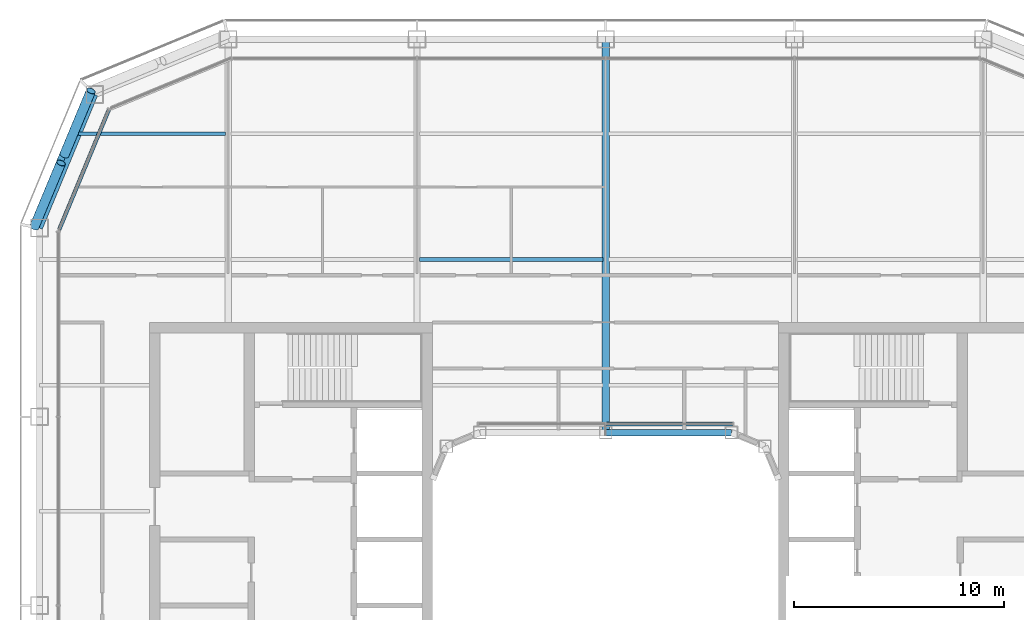
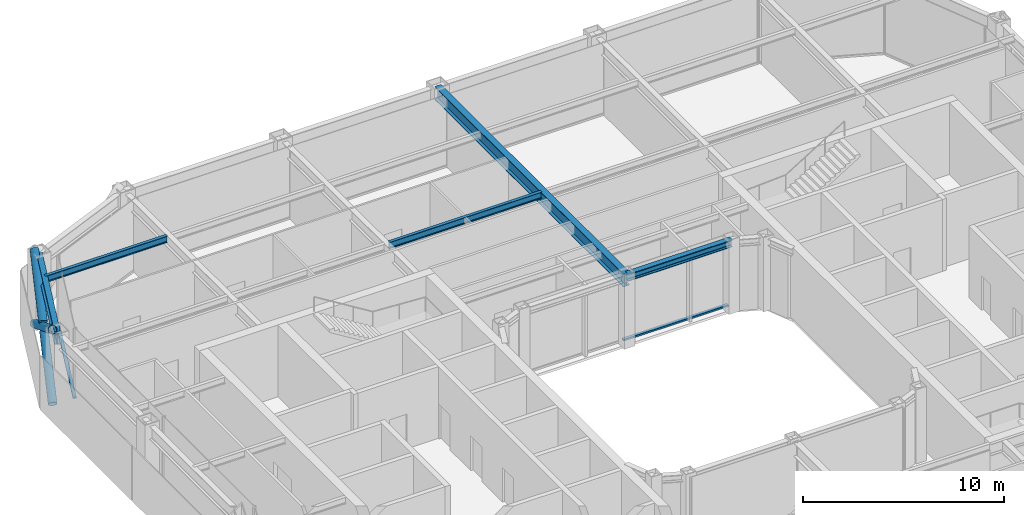
# One storey, part 7 of 22: 5 beams, 5 members, 2 elements without a shape of their own.
"""IFC4 building model written with IfcOpenShell, lengths in metres."""

from ifc_helpers import new_model, si_unit, direction, frame, origin, origin_2d, place, context, subcontext, project, spatial, rectangle, hollow_circle, i_section, extrude, material, layer, layer_set, material_profile, profile_set, type_object, element, aggregate, save


model = new_model("IFC4")

# Units and contexts
model_context = context("Model", 3, precision=1e-05, world=origin(), true_north=direction((0.0, 1.0)))
body_context = subcontext(model_context, "Body", "Model", "MODEL_VIEW")
ifc_project = project(units=[si_unit("LENGTHUNIT", "METRE"), si_unit("AREAUNIT", "SQUARE_METRE"), si_unit("VOLUMEUNIT", "CUBIC_METRE"), si_unit("PLANEANGLEUNIT", "RADIAN"), si_unit("MASSUNIT", "GRAM", prefix="KILO")], contexts=[model_context])

# Site, building, storey
site_placement = place(None, origin())
site = spatial("IfcSite", under=ifc_project, at=site_placement, CompositionType="ELEMENT")
building_placement = place(site_placement, origin())
building = spatial("IfcBuilding", under=site, at=building_placement, Name="Siwar Civic Tower", CompositionType="ELEMENT")
storey_placement = place(building_placement, frame((0.0, 0.0, 219.699951171875)))
storey = spatial("IfcBuildingStorey", under=building, at=storey_placement, Name="L47", CompositionType="ELEMENT", Elevation=219.699951171875)

# Curtain wall, member
ifc_material_1 = material(Name="Aluminium clad insulated panel", Category="aluminium")
ifc_layer_1 = layer(ifc_material_1, 0.179931640625)
ifc_layer_set_1 = layer_set([ifc_layer_1], Name="Aluminium clad insulated panel")
curtain_wall_type_1 = type_object("IfcCurtainWallType", Name="ENV-CW-CX", PredefinedType="NOTDEFINED", material=ifc_layer_set_1)
curtain_wall_1_placement = place(storey_placement, origin())
curtain_wall_1 = element("IfcCurtainWall", 1, at=curtain_wall_1_placement, inside=storey, type_object=curtain_wall_type_1, Name="Curtain wall C NW2", PredefinedType="NOTDEFINED")
ifc_material_2 = material(Name="Aluminium 6063-T6", Category="aluminium")
ifc_material_profile_1 = material_profile(ifc_material_2, rectangle(XDim=0.179931640625, YDim=0.10009765625, at=origin_2d()), Name="AL 180x100")
ifc_profile_set_1 = profile_set([ifc_material_profile_1], Name="Aluminium 6063-T6")
member_type_1 = type_object("IfcMemberType", Name="ENV-TRANSOM-C", PredefinedType="USERDEFINED", material=ifc_profile_set_1)
member_1_placement = place(storey_placement, frame((-23.6865234375, 23.6474609375, 0.050048828125), z_axis=(-0.382691366456, -0.923876246063, 0.0), x_axis=(0.923876246063, -0.382691366456, 0.0)))
member_1 = element("IfcMember", 2, at=member_1_placement, type_object=member_type_1, Name="Transom C NW2 1", ObjectType="TRANSOM", PredefinedType="USERDEFINED", context=body_context, shape_type="SweptSolid", body=[
    extrude(rectangle(XDim=0.179931640625, YDim=0.10009765625, at=origin_2d()), origin(), (0.0, 0.0, 1.0), 6.20166015625),
])
aggregate(curtain_wall_1, [member_1])

ifc_material_3 = material(Name="Aluminium and glass", Category="aluminium")
ifc_layer_2 = layer(ifc_material_3, 0.179931640625)
ifc_layer_set_2 = layer_set([ifc_layer_2], Name="Aluminium and glass")
curtain_wall_type_2 = type_object("IfcCurtainWallType", Name="ENV-CW-W", PredefinedType="NOTDEFINED", material=ifc_layer_set_2)
curtain_wall_2_placement = place(storey_placement, origin())
curtain_wall_2 = element("IfcCurtainWall", 3, at=curtain_wall_2_placement, inside=storey, type_object=curtain_wall_type_2, Name="Curtain wall W WN", PredefinedType="NOTDEFINED")
ifc_material_4 = material(Name="Aluminium 6063-T6", Category="aluminium")
ifc_material_profile_2 = material_profile(ifc_material_4, rectangle(XDim=0.179931640625, YDim=0.10009765625, at=origin_2d()), Name="AL 180x100")
ifc_profile_set_2 = profile_set([ifc_material_profile_2], Name="Aluminium 6063-T6")
member_type_2 = type_object("IfcMemberType", Name="ENV-TRANSOM-W", PredefinedType="USERDEFINED", material=ifc_profile_set_2)
member_2_placement = place(storey_placement, frame((6.051513671875, 8.659912109375, 0.050048828125), z_axis=(-1.0, 0.0, 0.0), x_axis=(0.0, -1.0, 0.0)))
member_2 = element("IfcMember", 4, at=member_2_placement, type_object=member_type_2, Name="Transom W WN 1", ObjectType="TRANSOM", PredefinedType="USERDEFINED", context=body_context, shape_type="SweptSolid", body=[
    extrude(rectangle(XDim=0.179931640625, YDim=0.10009765625, at=origin_2d()), origin(), (0.0, 0.0, 1.0), 6.021484375),
])
aggregate(curtain_wall_2, [member_2])

# Members
ifc_material_5 = material(Name="Steel S355", Category="steel")
ifc_material_profile_3 = material_profile(ifc_material_5, hollow_circle(Radius=0.228515625, WallThickness=0.02001953125, at=origin_2d()), Name="CHS457x20")
ifc_profile_set_3 = profile_set([ifc_material_profile_3], Name="Steel S355")
member_type_3 = type_object("IfcMemberType", Name="STR-BR-CHS457x20", PredefinedType="BRACE", material=ifc_profile_set_3)
member_3_placement = place(storey_placement, frame((-24.540771484375, 24.540771484375, 0.0), z_axis=(-0.323905527954, -0.777554562952, 0.538975055633), x_axis=(0.923108759191, -0.384538969033, 0.0)))
element("IfcMember", 5, at=member_3_placement, inside=storey, type_object=member_type_3, Name="L47/brc/CNW1-7-0-1", PredefinedType="BRACE", context=body_context, shape_type="SweptSolid", body=[
    extrude(hollow_circle(Radius=0.228515625, WallThickness=0.02001953125, at=origin_2d()), origin(), (0.0, 0.0, 1.0), 8.34912109375),
])
for number, where, z_axis, x_axis, name in (
    (6, (-27.2451171875, 18.048828125, 0.0), (0.323884455881, 0.777546448489, 0.538999424564), (-0.92311621485, 0.38452107079, 0.0), "L47/brc/CNW1-7-0-2"),
    (7, (-25.81298828125, 21.486572265625, 2.383056640625), (0.323895306243, 0.777572496853, 0.538955325357), (-0.92311621485, 0.38452107079, 0.0), "L47/brc/CNW1-7-0-3"),
):
    element("IfcMember", number, at=place(storey_placement, frame(where, z_axis=z_axis, x_axis=x_axis)), inside=storey, type_object=member_type_3, Name=name, PredefinedType="BRACE", context=body_context, shape_type="SweptSolid", body=[
        extrude(hollow_circle(Radius=0.228515625, WallThickness=0.02001953125, at=origin_2d()), origin(), (0.0, 0.0, 1.0), 3.927978515625),
    ])

# Beams
ifc_material_6 = material(Name="Steel S355", Category="steel")
ifc_material_profile_4 = material_profile(ifc_material_6, i_section(OverallWidth=0.179931640625, OverallDepth=0.39990234375, WebThickness=0.008544921875, FlangeThickness=0.013427734375, FilletRadius=0.02099609375, at=origin_2d()), Name="IPE400")
ifc_profile_set_4 = profile_set([ifc_material_profile_4], Name="Steel S355")
beam_type_1 = type_object("IfcBeamType", Name="STR-FB-IPE400", PredefinedType="JOIST", material=ifc_profile_set_4)
beam_1_placement = place(storey_placement, frame((-8.8701171875, 16.5, 4.150146484375), z_axis=(1.0, 0.0, 0.0), x_axis=(0.0, 1.0, 0.0)))
element("IfcBeam", 8, at=beam_1_placement, inside=storey, type_object=beam_type_1, Name="L47/bm/F033", PredefinedType="JOIST", context=body_context, shape_type="SweptSolid", body=[
    extrude(i_section(OverallWidth=0.179931640625, OverallDepth=0.39990234375, WebThickness=0.008544921875, FlangeThickness=0.013427734375, FilletRadius=0.02099609375, at=origin_2d()), origin(), (0.0, 0.0, 1.0), 8.740234375),
])
beam_2_placement = place(storey_placement, frame((-25.135986328125, 22.5, 4.150146484375), z_axis=(1.0, 0.0, 0.0), x_axis=(0.0, 1.0, 0.0)))
element("IfcBeam", 9, at=beam_2_placement, inside=storey, type_object=beam_type_1, Name="L47/bm/F037", PredefinedType="JOIST", context=body_context, shape_type="SweptSolid", body=[
    extrude(i_section(OverallWidth=0.179931640625, OverallDepth=0.39990234375, WebThickness=0.008544921875, FlangeThickness=0.013427734375, FilletRadius=0.02099609375, at=origin_2d()), origin(), (0.0, 0.0, 1.0), 7.006103515625),
])
ifc_material_7 = material(Name="Steel S355", Category="steel")
ifc_material_profile_5 = material_profile(ifc_material_7, i_section(OverallWidth=0.360107421875, OverallDepth=0.800048828125, WebThickness=0.013916015625, FlangeThickness=0.031982421875, at=origin_2d()), Name="PG800x360x14x32")
ifc_profile_set_5 = profile_set([ifc_material_profile_5], Name="Steel S355")
beam_type_2 = type_object("IfcBeamType", Name="STR-PG-PG800x360x14x32", PredefinedType="BEAM", material=ifc_profile_set_5)
beam_3_placement = place(storey_placement, frame((0.0, 8.25, 3.949951171875), z_axis=(0.0, 1.0, 0.0), x_axis=(-1.0, 0.0, 0.0)))
element("IfcBeam", 10, at=beam_3_placement, inside=storey, type_object=beam_type_2, Name="L47/bm/G06", PredefinedType="BEAM", context=body_context, shape_type="SweptSolid", body=[
    extrude(i_section(OverallWidth=0.360107421875, OverallDepth=0.800048828125, WebThickness=0.013916015625, FlangeThickness=0.031982421875, at=origin_2d()), origin(), (0.0, 0.0, 1.0), 18.75),
])
ifc_material_8 = material(Name="Steel S355", Category="steel")
ifc_material_profile_6 = material_profile(ifc_material_8, i_section(OverallWidth=0.306884765625, OverallDepth=0.431884765625, WebThickness=0.02099609375, FlangeThickness=0.0400390625, FilletRadius=0.027099609375, at=origin_2d()), Name="HEM400")
ifc_profile_set_6 = profile_set([ifc_material_profile_6], Name="Steel S355")
beam_type_3 = type_object("IfcBeamType", Name="STR-RB-HEM400", PredefinedType="BEAM", material=ifc_profile_set_6)
beam_4_placement = place(storey_placement, frame((0.0, 8.25, 4.134033203125), z_axis=(1.0, 0.0, 0.0), x_axis=(0.0, 1.0, 0.0)))
element("IfcBeam", 11, at=beam_4_placement, inside=storey, type_object=beam_type_3, Name="L47/bm/RN2", PredefinedType="BEAM", context=body_context, shape_type="SweptSolid", body=[
    extrude(i_section(OverallWidth=0.306884765625, OverallDepth=0.431884765625, WebThickness=0.02099609375, FlangeThickness=0.0400390625, FilletRadius=0.027099609375, at=origin_2d()), origin(), (0.0, 0.0, 1.0), 6.0),
])
ifc_material_9 = material(Name="Steel S355", Category="steel")
ifc_material_profile_7 = material_profile(ifc_material_9, i_section(OverallWidth=0.300048828125, OverallDepth=0.800048828125, WebThickness=0.017578125, FlangeThickness=0.032958984375, FilletRadius=0.030029296875, at=origin_2d()), Name="HEB800")
ifc_profile_set_7 = profile_set([ifc_material_profile_7], Name="Steel S355")
beam_type_4 = type_object("IfcBeamType", Name="STR-SB-HEB800", PredefinedType="BEAM", material=ifc_profile_set_7)
beam_5_placement = place(storey_placement, frame((-24.364013671875, 24.364013671875, 3.949951171875), z_axis=(-0.382674207535, -0.923883353507, 0.0), x_axis=(0.923883353507, -0.382674207535, 0.0)))
element("IfcBeam", 12, at=beam_5_placement, inside=storey, type_object=beam_type_4, Name="L47/bm/SNW2-0", PredefinedType="BEAM", context=body_context, shape_type="SweptSolid", body=[
    extrude(i_section(OverallWidth=0.300048828125, OverallDepth=0.800048828125, WebThickness=0.017578125, FlangeThickness=0.032958984375, FilletRadius=0.030029296875, at=origin_2d()), origin(), (0.0, 0.0, 1.0), 6.888427734375),
])

save(model, "model.ifc")
